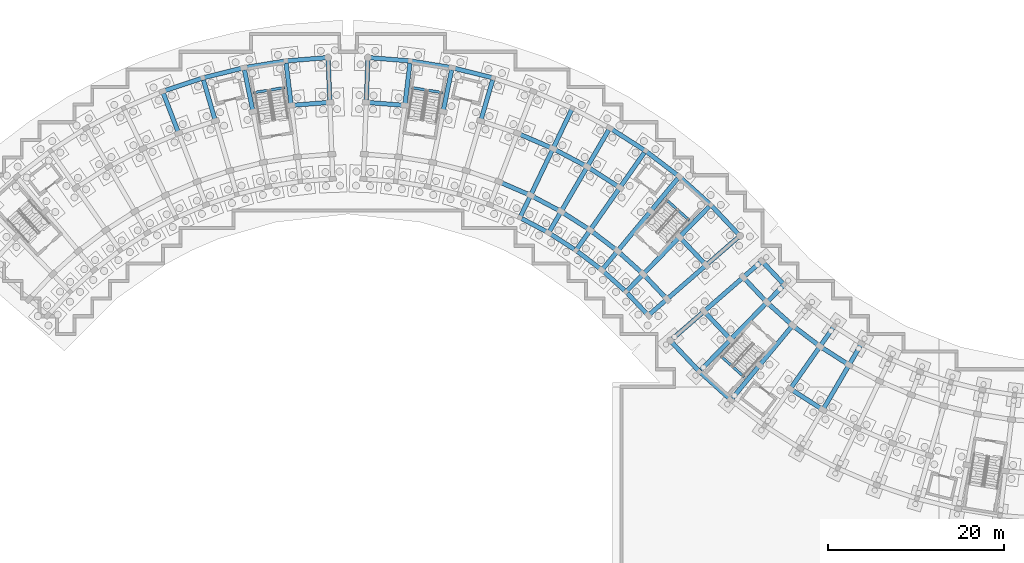
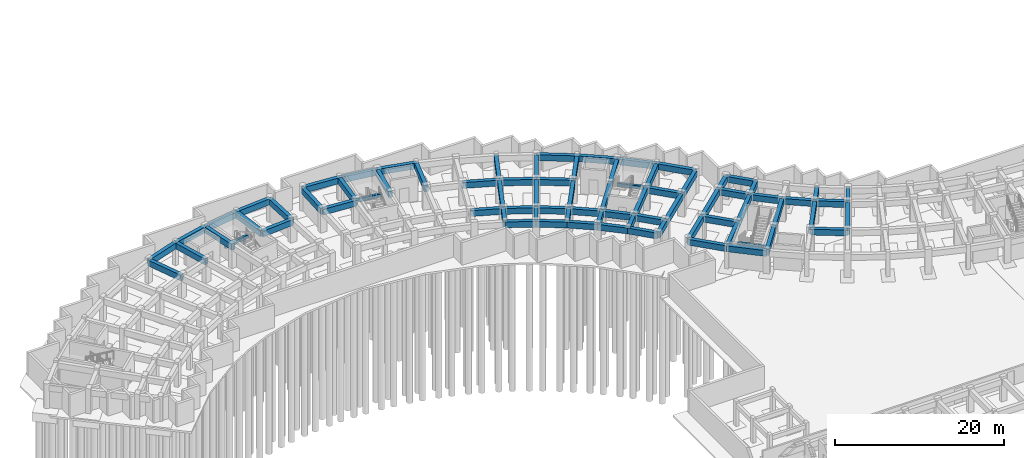
# One storey, part 13 of 32: 80 beams.
"""IFC4 building model written with IfcOpenShell, lengths in metres."""

from ifc_helpers import new_model, si_unit, direction, frame, origin, origin_2d, place, context, subcontext, project, spatial, rectangle, extrude, material, material_profile, profile_set, type_object, element, save


model = new_model("IFC4")

# Units and contexts
model_context = context("Model", 3, precision=1e-05, world=origin(), true_north=direction((0.0, 1.0)))
body_context = subcontext(model_context, "Body", "Model", "MODEL_VIEW")
ifc_project = project(units=[si_unit("LENGTHUNIT", "METRE"), si_unit("AREAUNIT", "SQUARE_METRE"), si_unit("VOLUMEUNIT", "CUBIC_METRE"), si_unit("PLANEANGLEUNIT", "RADIAN"), si_unit("MASSUNIT", "GRAM", prefix="KILO")], contexts=[model_context])

# Site, building, storey
site_placement = place(None, origin())
site = spatial("IfcSite", under=ifc_project, at=site_placement, CompositionType="ELEMENT")
building_placement = place(site_placement, origin())
building = spatial("IfcBuilding", under=site, at=building_placement, Name="Zimvara Arc Housing Community", CompositionType="ELEMENT")
storey_placement = place(building_placement, frame((0.0, 0.0, -3.60009765625)))
storey = spatial("IfcBuildingStorey", under=building, at=storey_placement, Name="B1", CompositionType="ELEMENT", Elevation=-3.60009765625)

# Beams
ifc_material_1 = material(Name="Concrete C40/50", Category="concrete")
ifc_material_profile_1 = material_profile(ifc_material_1, rectangle(XDim=0.300048828125, YDim=0.5, at=origin_2d()), Name="RC 300x500")
ifc_profile_set_1 = profile_set([ifc_material_profile_1], Name="Concrete C40/50")
beam_type_1 = type_object("IfcBeamType", Name="BM-RC-300x500", PredefinedType="BEAM", material=ifc_profile_set_1)
for number, where, z_axis, x_axis, name in (
    (1, (37.81103515625, 99.92919921875, 1.550048828125), (-0.987080057935, -0.160227835371, 0.0), (0.160227835371, -0.987080057935, 0.0), "bm:stair_trim:ST-A2:B1:mid"),
    (2, (55.712890625, 99.357177734375, 1.550048828125), (-0.987080057935, 0.160227835371, 0.0), (-0.160227835371, -0.987080057935, 0.0), "bm:stair_trim:ST-B1:B1:mid"),
    (3, (83.715576171875, 84.859375, 1.550048828125), (-0.743392745855, 0.668855160262, 0.0), (-0.668855160262, -0.743392745855, 0.0), "bm:stair_trim:ST-B2:B1:mid"),
    (4, (87.264404296875, 69.50048828125, 1.550048828125), (0.74342674804, -0.668817366924, 0.0), (0.668817366924, 0.74342674804, 0.0), "bm:stair_trim:ST-C1:B1:mid"),
):
    element("IfcBeam", number, at=place(storey_placement, frame(where, z_axis=z_axis, x_axis=x_axis)), inside=storey, type_object=beam_type_1, Name=name, PredefinedType="BEAM", context=body_context, shape_type="SweptSolid", body=[
        extrude(rectangle(XDim=0.300048828125, YDim=0.5, at=origin_2d()), origin(), (0.0, 0.0, 1.0), 3.570068359375),
    ])
ifc_material_2 = material(Name="Concrete C40/50", Category="concrete")
ifc_material_profile_2 = material_profile(ifc_material_2, rectangle(XDim=0.5, YDim=0.85009765625, at=origin_2d()), Name="RC 500x850")
ifc_profile_set_2 = profile_set([ifc_material_profile_2], Name="Concrete C40/50")
beam_type_2 = type_object("IfcBeamType", Name="BM-RC-500x850", PredefinedType="BEAM", material=ifc_profile_set_2)
beam_1_placement = place(storey_placement, frame((38.55517578125, 97.91259765625, 2.875), z_axis=(0.996864209836, 0.079131202119, 0.0), x_axis=(-0.079131202119, 0.996864209836, 0.0)))
element("IfcBeam", 5, at=beam_1_placement, inside=storey, type_object=beam_type_2, Name="bm:blkA:B1:chord:r2:b9", PredefinedType="BEAM", context=body_context, shape_type="SweptSolid", body=[
    extrude(rectangle(XDim=0.5, YDim=0.85009765625, at=origin_2d()), origin(), (0.0, 0.0, 1.0), 4.393310546875),
])
beam_2_placement = place(storey_placement, frame((23.97607421875, 99.49853515625, 2.875), z_axis=(0.947877948153, 0.31863363822, 0.0), x_axis=(-0.31863363822, 0.947877948153, 0.0)))
element("IfcBeam", 6, at=beam_2_placement, inside=storey, type_object=beam_type_2, Name="bm:blkA:B1:chord:r3:b6", PredefinedType="BEAM", context=body_context, shape_type="SweptSolid", body=[
    extrude(rectangle(XDim=0.5, YDim=0.85009765625, at=origin_2d()), origin(), (0.0, 0.0, 1.0), 4.807861328125),
])
beam_3_placement = place(storey_placement, frame((28.533447265625, 101.030517578125, 2.875), z_axis=(0.970716235341, 0.240229037474, 0.0), x_axis=(-0.240229037474, 0.970716235341, 0.0)))
element("IfcBeam", 7, at=beam_3_placement, inside=storey, type_object=beam_type_2, Name="bm:blkA:B1:chord:r3:b7", PredefinedType="BEAM", context=body_context, shape_type="SweptSolid", body=[
    extrude(rectangle(XDim=0.5, YDim=0.85009765625, at=origin_2d()), origin(), (0.0, 0.0, 1.0), 4.80810546875),
])
beam_4_placement = place(storey_placement, frame((33.20068359375, 102.185546875, 2.875), z_axis=(0.987076839731, 0.160247659784, 0.0), x_axis=(-0.160247659784, 0.987076839731, 0.0)))
element("IfcBeam", 8, at=beam_4_placement, inside=storey, type_object=beam_type_2, Name="bm:blkA:B1:chord:r3:b8", PredefinedType="BEAM", context=body_context, shape_type="SweptSolid", body=[
    extrude(rectangle(XDim=0.5, YDim=0.85009765625, at=origin_2d()), origin(), (0.0, 0.0, 1.0), 4.808349609375),
])
beam_5_placement = place(storey_placement, frame((37.94677734375, 102.9560546875, 2.875), z_axis=(0.996861768207, 0.0791619548, 0.0), x_axis=(-0.0791619548, 0.996861768207, 0.0)))
element("IfcBeam", 9, at=beam_5_placement, inside=storey, type_object=beam_type_2, Name="bm:blkA:B1:chord:r3:b9", PredefinedType="BEAM", context=body_context, shape_type="SweptSolid", body=[
    extrude(rectangle(XDim=0.5, YDim=0.85009765625, at=origin_2d()), origin(), (0.0, 0.0, 1.0), 4.80810546875),
])
beam_6_placement = place(storey_placement, frame((25.7900390625, 94.75341796875, 2.875), z_axis=(-0.357078271386, 0.934074466038, 0.0), x_axis=(-0.934074466038, -0.357078271386, 0.0)))
element("IfcBeam", 10, at=beam_6_placement, inside=storey, type_object=beam_type_2, Name="bm:blkA:B1:rad:b6:r23", PredefinedType="BEAM", context=body_context, shape_type="SweptSolid", body=[
    extrude(rectangle(XDim=0.5, YDim=0.85009765625, at=origin_2d()), origin(), (0.0, 0.0, 1.0), 5.080078125),
])
for number, where, z_axis, x_axis, name in (
    (11, (29.9541015625, 96.1533203125, 2.875), (-0.279662254096, 0.960098444762, 0.0), (-0.960098444762, -0.279662254096, 0.0), "bm:blkA:B1:rad:b7:r23"),
    (12, (34.21875, 97.208740234375, 2.875), (-0.200411962389, 0.97971171542, 0.0), (-0.97971171542, -0.200411962389, 0.0), "bm:blkA:B1:rad:b8:r23"),
):
    element("IfcBeam", number, at=place(storey_placement, frame(where, z_axis=z_axis, x_axis=x_axis)), inside=storey, type_object=beam_type_2, Name=name, PredefinedType="BEAM", context=body_context, shape_type="SweptSolid", body=[
        extrude(rectangle(XDim=0.5, YDim=0.85009765625, at=origin_2d()), origin(), (0.0, 0.0, 1.0), 5.079833984375),
    ])
for number, where, z_axis, x_axis, name in (
    (13, (38.55517578125, 97.91259765625, 2.875), (-0.119762990499, 0.99280251113, 0.0), (-0.99280251113, -0.119762990499, 0.0), "bm:blkA:B1:rad:b9:r23"),
    (14, (42.934814453125, 98.26025390625, 2.875), (-0.038398054907, 0.999262522753, 0.0), (-0.999262522753, -0.038398054907, 0.0), "bm:blkA:B1:rad:b10:r23"),
):
    element("IfcBeam", number, at=place(storey_placement, frame(where, z_axis=z_axis, x_axis=x_axis)), inside=storey, type_object=beam_type_2, Name=name, PredefinedType="BEAM", context=body_context, shape_type="SweptSolid", body=[
        extrude(rectangle(XDim=0.5, YDim=0.85009765625, at=origin_2d()), origin(), (0.0, 0.0, 1.0), 5.080078125),
    ])
beam_7_placement = place(storey_placement, frame((64.49560546875, 85.190673828125, 2.875), z_axis=(0.883449220086, -0.468526920815, 0.0), x_axis=(0.468526920815, 0.883449220086, 0.0)))
element("IfcBeam", 15, at=beam_7_placement, inside=storey, type_object=beam_type_2, Name="bm:blkB:B1:chord:r0:b5", PredefinedType="BEAM", context=body_context, shape_type="SweptSolid", body=[
    extrude(rectangle(XDim=0.5, YDim=0.85009765625, at=origin_2d()), origin(), (0.0, 0.0, 1.0), 3.6845703125),
])
beam_8_placement = place(storey_placement, frame((67.750732421875, 83.46435546875, 2.875), z_axis=(0.842272604079, -0.539051816079, 0.0), x_axis=(0.539051816079, 0.842272604079, 0.0)))
element("IfcBeam", 16, at=beam_8_placement, inside=storey, type_object=beam_type_2, Name="bm:blkB:B1:chord:r0:b6", PredefinedType="BEAM", context=body_context, shape_type="SweptSolid", body=[
    extrude(rectangle(XDim=0.5, YDim=0.85009765625, at=origin_2d()), origin(), (0.0, 0.0, 1.0), 3.684326171875),
])
beam_9_placement = place(storey_placement, frame((70.85400390625, 81.478271484375, 2.875), z_axis=(0.795453014049, -0.606015265847, 0.0), x_axis=(0.606015265847, 0.795453014049, 0.0)))
element("IfcBeam", 17, at=beam_9_placement, inside=storey, type_object=beam_type_2, Name="bm:blkB:B1:chord:r0:b7", PredefinedType="BEAM", context=body_context, shape_type="SweptSolid", body=[
    extrude(rectangle(XDim=0.5, YDim=0.85009765625, at=origin_2d()), origin(), (0.0, 0.0, 1.0), 3.6845703125),
])
beam_10_placement = place(storey_placement, frame((73.784912109375, 79.245361328125, 2.875), z_axis=(0.743366631239, -0.668884183966, 0.0), x_axis=(0.668884183966, 0.743366631239, 0.0)))
element("IfcBeam", 18, at=beam_10_placement, inside=storey, type_object=beam_type_2, Name="bm:blkB:B1:chord:r0:b8", PredefinedType="BEAM", context=body_context, shape_type="SweptSolid", body=[
    extrude(rectangle(XDim=0.5, YDim=0.85009765625, at=origin_2d()), origin(), (0.0, 0.0, 1.0), 3.684326171875),
])
beam_11_placement = place(storey_placement, frame((76.523681640625, 76.781005859375, 2.875), z_axis=(0.686335517678, -0.727285059088, 0.0), x_axis=(0.727285059088, 0.686335517678, 0.0)))
element("IfcBeam", 19, at=beam_11_placement, inside=storey, type_object=beam_type_2, Name="bm:blkB:B1:chord:r0:b9", PredefinedType="BEAM", context=body_context, shape_type="SweptSolid", body=[
    extrude(rectangle(XDim=0.5, YDim=0.85009765625, at=origin_2d()), origin(), (0.0, 0.0, 1.0), 3.6845703125),
])
for number, where, z_axis, x_axis, name in (
    (20, (62.110595703125, 89.260986328125, 2.875), (0.91873144242, -0.394882940514, 0.0), (0.394882940514, 0.91873144242, 0.0), "bm:blkB:B1:chord:r1:b4"),
    (21, (65.70556640625, 87.7158203125, 2.875), (0.883438625159, -0.468546897948, 0.0), (0.468546897948, 0.883438625159, 0.0), "bm:blkB:B1:chord:r1:b5"),
):
    element("IfcBeam", number, at=place(storey_placement, frame(where, z_axis=z_axis, x_axis=x_axis)), inside=storey, type_object=beam_type_2, Name=name, PredefinedType="BEAM", context=body_context, shape_type="SweptSolid", body=[
        extrude(rectangle(XDim=0.5, YDim=0.85009765625, at=origin_2d()), origin(), (0.0, 0.0, 1.0), 3.9130859375),
    ])
beam_12_placement = place(storey_placement, frame((69.16259765625, 85.88232421875, 2.875), z_axis=(0.842253269878, -0.539082024724, 0.0), x_axis=(0.539082024724, 0.842253269878, 0.0)))
element("IfcBeam", 22, at=beam_12_placement, inside=storey, type_object=beam_type_2, Name="bm:blkB:B1:chord:r1:b6", PredefinedType="BEAM", context=body_context, shape_type="SweptSolid", body=[
    extrude(rectangle(XDim=0.5, YDim=0.85009765625, at=origin_2d()), origin(), (0.0, 0.0, 1.0), 3.912841796875),
])
for number, where, z_axis, x_axis, name in (
    (23, (72.458251953125, 83.77294921875, 2.875), (0.795470387579, -0.605992460749, 0.0), (0.605992460749, 0.795470387579, 0.0), "bm:blkB:B1:chord:r1:b7"),
    (24, (75.571044921875, 81.401611328125, 2.875), (0.743402719516, -0.668844074965, 0.0), (0.668844074965, 0.743402719516, 0.0), "bm:blkB:B1:chord:r1:b8"),
):
    element("IfcBeam", number, at=place(storey_placement, frame(where, z_axis=z_axis, x_axis=x_axis)), inside=storey, type_object=beam_type_2, Name=name, PredefinedType="BEAM", context=body_context, shape_type="SweptSolid", body=[
        extrude(rectangle(XDim=0.5, YDim=0.85009765625, at=origin_2d()), origin(), (0.0, 0.0, 1.0), 3.9130859375),
    ])
beam_13_placement = place(storey_placement, frame((78.47998046875, 78.784423828125, 2.875), z_axis=(0.686315710793, -0.727303750243, 0.0), x_axis=(0.727303750243, 0.686315710793, 0.0)))
element("IfcBeam", 25, at=beam_13_placement, inside=storey, type_object=beam_type_2, Name="bm:blkB:B1:chord:r1:b9", PredefinedType="BEAM", context=body_context, shape_type="SweptSolid", body=[
    extrude(rectangle(XDim=0.5, YDim=0.85009765625, at=origin_2d()), origin(), (0.0, 0.0, 1.0), 3.913330078125),
])
for number, where, z_axis, x_axis, name in (
    (26, (47.065185546875, 98.26025390625, 2.875), (0.996864209836, -0.079131202119, 0.0), (0.079131202119, 0.996864209836, 0.0), "bm:blkB:B1:chord:r2:b0"),
    (27, (64.2099609375, 94.75341796875, 2.875), (0.918724840088, -0.394898301093, 0.0), (0.394898301093, 0.918724840088, 0.0), "bm:blkB:B1:chord:r2:b4"),
    (28, (68.24609375, 93.0185546875, 2.875), (0.883456526058, -0.468513144496, 0.0), (0.468513144496, 0.883456526058, 0.0), "bm:blkB:B1:chord:r2:b5"),
    (29, (72.12744140625, 90.960205078125, 2.875), (0.842242131326, -0.539099427025, 0.0), (0.539099427025, 0.842242131326, 0.0), "bm:blkB:B1:chord:r2:b6"),
    (30, (82.588134765625, 82.9912109375, 2.875), (0.686303637813, -0.727315142648, 0.0), (0.727315142648, 0.686303637813, 0.0), "bm:blkB:B1:chord:r2:b9"),
):
    element("IfcBeam", number, at=place(storey_placement, frame(where, z_axis=z_axis, x_axis=x_axis)), inside=storey, type_object=beam_type_2, Name=name, PredefinedType="BEAM", context=body_context, shape_type="SweptSolid", body=[
        extrude(rectangle(XDim=0.5, YDim=0.85009765625, at=origin_2d()), origin(), (0.0, 0.0, 1.0), 4.393310546875),
    ])
beam_14_placement = place(storey_placement, frame((47.26025390625, 103.336669921875, 2.875), z_axis=(0.996861768207, -0.0791619548, 0.0), x_axis=(0.0791619548, 0.996861768207, 0.0)))
element("IfcBeam", 31, at=beam_14_placement, inside=storey, type_object=beam_type_2, Name="bm:blkB:B1:chord:r3:b0", PredefinedType="BEAM", context=body_context, shape_type="SweptSolid", body=[
    extrude(rectangle(XDim=0.5, YDim=0.85009765625, at=origin_2d()), origin(), (0.0, 0.0, 1.0), 4.80810546875),
])
beam_15_placement = place(storey_placement, frame((52.05322265625, 102.9560546875, 2.875), z_axis=(0.987076839731, -0.160247659784, 0.0), x_axis=(0.160247659784, 0.987076839731, 0.0)))
element("IfcBeam", 32, at=beam_15_placement, inside=storey, type_object=beam_type_2, Name="bm:blkB:B1:chord:r3:b1", PredefinedType="BEAM", context=body_context, shape_type="SweptSolid", body=[
    extrude(rectangle(XDim=0.5, YDim=0.85009765625, at=origin_2d()), origin(), (0.0, 0.0, 1.0), 4.808349609375),
])
beam_16_placement = place(storey_placement, frame((56.79931640625, 102.185546875, 2.875), z_axis=(0.970716235341, -0.240229037474, 0.0), x_axis=(0.240229037474, 0.970716235341, 0.0)))
element("IfcBeam", 33, at=beam_16_placement, inside=storey, type_object=beam_type_2, Name="bm:blkB:B1:chord:r3:b2", PredefinedType="BEAM", context=body_context, shape_type="SweptSolid", body=[
    extrude(rectangle(XDim=0.5, YDim=0.85009765625, at=origin_2d()), origin(), (0.0, 0.0, 1.0), 4.80810546875),
])
beam_17_placement = place(storey_placement, frame((74.688720703125, 95.34716796875, 2.875), z_axis=(0.842255724028, -0.539078190379, 0.0), x_axis=(0.539078190379, 0.842255724028, 0.0)))
element("IfcBeam", 34, at=beam_17_placement, inside=storey, type_object=beam_type_2, Name="bm:blkB:B1:chord:r3:b6", PredefinedType="BEAM", context=body_context, shape_type="SweptSolid", body=[
    extrude(rectangle(XDim=0.5, YDim=0.85009765625, at=origin_2d()), origin(), (0.0, 0.0, 1.0), 4.808349609375),
])
beam_18_placement = place(storey_placement, frame((78.738525390625, 92.755126953125, 2.875), z_axis=(0.795480673672, -0.605978958228, 0.0), x_axis=(0.605978958228, 0.795480673672, 0.0)))
element("IfcBeam", 35, at=beam_18_placement, inside=storey, type_object=beam_type_2, Name="bm:blkB:B1:chord:r3:b7", PredefinedType="BEAM", context=body_context, shape_type="SweptSolid", body=[
    extrude(rectangle(XDim=0.5, YDim=0.85009765625, at=origin_2d()), origin(), (0.0, 0.0, 1.0), 4.80810546875),
])
beam_19_placement = place(storey_placement, frame((82.563232421875, 89.841552734375, 2.875), z_axis=(0.743395133402, -0.668852506637, 0.0), x_axis=(0.668852506637, 0.743395133402, 0.0)))
element("IfcBeam", 36, at=beam_19_placement, inside=storey, type_object=beam_type_2, Name="bm:blkB:B1:chord:r3:b8", PredefinedType="BEAM", context=body_context, shape_type="SweptSolid", body=[
    extrude(rectangle(XDim=0.5, YDim=0.85009765625, at=origin_2d()), origin(), (0.0, 0.0, 1.0), 4.807861328125),
])
beam_20_placement = place(storey_placement, frame((86.137451171875, 86.625732421875, 2.875), z_axis=(0.6862954451, -0.727322873307, 0.0), x_axis=(0.727322873307, 0.6862954451, 0.0)))
element("IfcBeam", 37, at=beam_20_placement, inside=storey, type_object=beam_type_2, Name="bm:blkB:B1:chord:r3:b9", PredefinedType="BEAM", context=body_context, shape_type="SweptSolid", body=[
    extrude(rectangle(XDim=0.5, YDim=0.85009765625, at=origin_2d()), origin(), (0.0, 0.0, 1.0), 4.80810546875),
])
for number, where, z_axis, x_axis, name in (
    (38, (47.065185546875, 98.26025390625, 2.875), (0.038398054907, 0.999262522753, 0.0), (-0.999262522753, 0.038398054907, 0.0), "bm:blkB:B1:rad:b0:r23"),
    (39, (51.44482421875, 97.91259765625, 2.875), (0.119762990499, 0.99280251113, 0.0), (-0.99280251113, 0.119762990499, 0.0), "bm:blkB:B1:rad:b1:r23"),
):
    element("IfcBeam", number, at=place(storey_placement, frame(where, z_axis=z_axis, x_axis=x_axis)), inside=storey, type_object=beam_type_2, Name=name, PredefinedType="BEAM", context=body_context, shape_type="SweptSolid", body=[
        extrude(rectangle(XDim=0.5, YDim=0.85009765625, at=origin_2d()), origin(), (0.0, 0.0, 1.0), 5.080078125),
    ])
for number, where, z_axis, x_axis, name in (
    (40, (55.78125, 97.208740234375, 2.875), (0.200411962389, 0.97971171542, 0.0), (-0.97971171542, 0.200411962389, 0.0), "bm:blkB:B1:rad:b2:r23"),
    (41, (60.0458984375, 96.1533203125, 2.875), (0.279662254096, 0.960098444762, 0.0), (-0.960098444762, 0.279662254096, 0.0), "bm:blkB:B1:rad:b3:r23"),
):
    element("IfcBeam", number, at=place(storey_placement, frame(where, z_axis=z_axis, x_axis=x_axis)), inside=storey, type_object=beam_type_2, Name=name, PredefinedType="BEAM", context=body_context, shape_type="SweptSolid", body=[
        extrude(rectangle(XDim=0.5, YDim=0.85009765625, at=origin_2d()), origin(), (0.0, 0.0, 1.0), 5.079833984375),
    ])
beam_21_placement = place(storey_placement, frame((64.49560546875, 85.190673828125, 2.875), z_axis=(0.432118703138, 0.901816736593, 0.0), x_axis=(-0.901816736593, 0.432118703138, 0.0)))
element("IfcBeam", 42, at=beam_21_placement, inside=storey, type_object=beam_type_2, Name="bm:blkB:B1:rad:b5:r01", PredefinedType="BEAM", context=body_context, shape_type="SweptSolid", body=[
    extrude(rectangle(XDim=0.5, YDim=0.85009765625, at=origin_2d()), origin(), (0.0, 0.0, 1.0), 2.800048828125),
])
beam_22_placement = place(storey_placement, frame((65.70556640625, 87.7158203125, 2.875), z_axis=(0.432069527705, 0.901840298073, 0.0), x_axis=(-0.901840298073, 0.432069527705, 0.0)))
element("IfcBeam", 43, at=beam_22_placement, inside=storey, type_object=beam_type_2, Name="bm:blkB:B1:rad:b5:r12", PredefinedType="BEAM", context=body_context, shape_type="SweptSolid", body=[
    extrude(rectangle(XDim=0.5, YDim=0.85009765625, at=origin_2d()), origin(), (0.0, 0.0, 1.0), 5.8798828125),
])
beam_23_placement = place(storey_placement, frame((68.24609375, 93.0185546875, 2.875), z_axis=(0.432098194978, 0.901826563091, 0.0), x_axis=(-0.901826563091, 0.432098194978, 0.0)))
element("IfcBeam", 44, at=beam_23_placement, inside=storey, type_object=beam_type_2, Name="bm:blkB:B1:rad:b5:r23", PredefinedType="BEAM", context=body_context, shape_type="SweptSolid", body=[
    extrude(rectangle(XDim=0.5, YDim=0.85009765625, at=origin_2d()), origin(), (0.0, 0.0, 1.0), 5.080078125),
])
beam_24_placement = place(storey_placement, frame((67.750732421875, 83.46435546875, 2.875), z_axis=(0.504239631668, 0.86356377521, 0.0), x_axis=(-0.86356377521, 0.504239631668, 0.0)))
element("IfcBeam", 45, at=beam_24_placement, inside=storey, type_object=beam_type_2, Name="bm:blkB:B1:rad:b6:r01", PredefinedType="BEAM", context=body_context, shape_type="SweptSolid", body=[
    extrude(rectangle(XDim=0.5, YDim=0.85009765625, at=origin_2d()), origin(), (0.0, 0.0, 1.0), 2.800048828125),
])
beam_25_placement = place(storey_placement, frame((69.16259765625, 85.88232421875, 2.875), z_axis=(0.504219494781, 0.863575532934, 0.0), x_axis=(-0.863575532934, 0.504219494781, 0.0)))
element("IfcBeam", 46, at=beam_25_placement, inside=storey, type_object=beam_type_2, Name="bm:blkB:B1:rad:b6:r12", PredefinedType="BEAM", context=body_context, shape_type="SweptSolid", body=[
    extrude(rectangle(XDim=0.5, YDim=0.85009765625, at=origin_2d()), origin(), (0.0, 0.0, 1.0), 5.880126953125),
])
beam_26_placement = place(storey_placement, frame((72.12744140625, 90.960205078125, 2.875), z_axis=(0.504196701544, 0.863588840915, 0.0), x_axis=(-0.863588840915, 0.504196701544, 0.0)))
element("IfcBeam", 47, at=beam_26_placement, inside=storey, type_object=beam_type_2, Name="bm:blkB:B1:rad:b6:r23", PredefinedType="BEAM", context=body_context, shape_type="SweptSolid", body=[
    extrude(rectangle(XDim=0.5, YDim=0.85009765625, at=origin_2d()), origin(), (0.0, 0.0, 1.0), 5.079833984375),
])
beam_27_placement = place(storey_placement, frame((70.85400390625, 81.478271484375, 2.875), z_axis=(0.57297651105, 0.819571789281, 0.0), x_axis=(-0.819571789281, 0.57297651105, 0.0)))
element("IfcBeam", 48, at=beam_27_placement, inside=storey, type_object=beam_type_2, Name="bm:blkB:B1:rad:b7:r01", PredefinedType="BEAM", context=body_context, shape_type="SweptSolid", body=[
    extrude(rectangle(XDim=0.5, YDim=0.85009765625, at=origin_2d()), origin(), (0.0, 0.0, 1.0), 2.7998046875),
])
beam_28_placement = place(storey_placement, frame((72.458251953125, 83.77294921875, 2.875), z_axis=(0.573027549978, 0.819536104736, 0.0), x_axis=(-0.819536104736, 0.573027549978, 0.0)))
element("IfcBeam", 49, at=beam_28_placement, inside=storey, type_object=beam_type_2, Name="bm:blkB:B1:rad:b7:r12", PredefinedType="BEAM", context=body_context, shape_type="SweptSolid", body=[
    extrude(rectangle(XDim=0.5, YDim=0.85009765625, at=origin_2d()), origin(), (0.0, 0.0, 1.0), 5.8798828125),
])
beam_29_placement = place(storey_placement, frame((75.82763671875, 88.591796875, 2.875), z_axis=(0.573007469479, 0.819550144848, 0.0), x_axis=(-0.819550144848, 0.573007469479, 0.0)))
element("IfcBeam", 50, at=beam_29_placement, inside=storey, type_object=beam_type_2, Name="bm:blkB:B1:rad:b7:r23", PredefinedType="BEAM", context=body_context, shape_type="SweptSolid", body=[
    extrude(rectangle(XDim=0.5, YDim=0.85009765625, at=origin_2d()), origin(), (0.0, 0.0, 1.0), 5.080078125),
])
beam_30_placement = place(storey_placement, frame((73.784912109375, 79.245361328125, 2.875), z_axis=(0.637917412223, 0.770104781951, 0.0), x_axis=(-0.770104781951, 0.637917412223, 0.0)))
element("IfcBeam", 51, at=beam_30_placement, inside=storey, type_object=beam_type_2, Name="bm:blkB:B1:rad:b8:r01", PredefinedType="BEAM", context=body_context, shape_type="SweptSolid", body=[
    extrude(rectangle(XDim=0.5, YDim=0.85009765625, at=origin_2d()), origin(), (0.0, 0.0, 1.0), 2.800048828125),
])
beam_31_placement = place(storey_placement, frame((75.571044921875, 81.401611328125, 2.875), z_axis=(0.637955964415, 0.770072845559, 0.0), x_axis=(-0.770072845559, 0.637955964415, 0.0)))
element("IfcBeam", 52, at=beam_31_placement, inside=storey, type_object=beam_type_2, Name="bm:blkB:B1:rad:b8:r12", PredefinedType="BEAM", context=body_context, shape_type="SweptSolid", body=[
    extrude(rectangle(XDim=0.5, YDim=0.85009765625, at=origin_2d()), origin(), (0.0, 0.0, 1.0), 5.880126953125),
])
beam_32_placement = place(storey_placement, frame((79.322265625, 85.9296875, 2.875), z_axis=(0.637983669165, 0.77004989311, 0.0), x_axis=(-0.77004989311, 0.637983669165, 0.0)))
element("IfcBeam", 53, at=beam_32_placement, inside=storey, type_object=beam_type_2, Name="bm:blkB:B1:rad:b8:r23", PredefinedType="BEAM", context=body_context, shape_type="SweptSolid", body=[
    extrude(rectangle(XDim=0.5, YDim=0.85009765625, at=origin_2d()), origin(), (0.0, 0.0, 1.0), 5.080078125),
])
beam_33_placement = place(storey_placement, frame((76.523681640625, 76.781005859375, 2.875), z_axis=(0.698643013894, 0.71547043205, 0.0), x_axis=(-0.71547043205, 0.698643013894, 0.0)))
element("IfcBeam", 54, at=beam_33_placement, inside=storey, type_object=beam_type_2, Name="bm:blkB:B1:rad:b9:r01", PredefinedType="BEAM", context=body_context, shape_type="SweptSolid", body=[
    extrude(rectangle(XDim=0.5, YDim=0.85009765625, at=origin_2d()), origin(), (0.0, 0.0, 1.0), 2.800048828125),
])
beam_34_placement = place(storey_placement, frame((78.47998046875, 78.784423828125, 2.875), z_axis=(0.698669844288, 0.715444231707, 0.0), x_axis=(-0.715444231707, 0.698669844288, 0.0)))
element("IfcBeam", 55, at=beam_34_placement, inside=storey, type_object=beam_type_2, Name="bm:blkB:B1:rad:b9:r12", PredefinedType="BEAM", context=body_context, shape_type="SweptSolid", body=[
    extrude(rectangle(XDim=0.5, YDim=0.85009765625, at=origin_2d()), origin(), (0.0, 0.0, 1.0), 5.8798828125),
])
beam_35_placement = place(storey_placement, frame((82.588134765625, 82.9912109375, 2.875), z_axis=(0.698670885014, 0.71544321538, 0.0), x_axis=(-0.71544321538, 0.698670885014, 0.0)))
element("IfcBeam", 56, at=beam_35_placement, inside=storey, type_object=beam_type_2, Name="bm:blkB:B1:rad:b9:r23", PredefinedType="BEAM", context=body_context, shape_type="SweptSolid", body=[
    extrude(rectangle(XDim=0.5, YDim=0.85009765625, at=origin_2d()), origin(), (0.0, 0.0, 1.0), 5.080078125),
])
beam_36_placement = place(storey_placement, frame((79.052490234375, 74.101318359375, 2.875), z_axis=(0.754733151583, 0.656031912259, 0.0), x_axis=(-0.656031912259, 0.754733151583, 0.0)))
element("IfcBeam", 57, at=beam_36_placement, inside=storey, type_object=beam_type_2, Name="bm:blkB:B1:rad:b10:r01", PredefinedType="BEAM", context=body_context, shape_type="SweptSolid", body=[
    extrude(rectangle(XDim=0.5, YDim=0.85009765625, at=origin_2d()), origin(), (0.0, 0.0, 1.0), 2.800048828125),
])
beam_37_placement = place(storey_placement, frame((81.165771484375, 75.938232421875, 2.875), z_axis=(0.754692223258, 0.656078995362, 0.0), x_axis=(-0.656078995362, 0.754692223258, 0.0)))
element("IfcBeam", 58, at=beam_37_placement, inside=storey, type_object=beam_type_2, Name="bm:blkB:B1:rad:b10:r12", PredefinedType="BEAM", context=body_context, shape_type="SweptSolid", body=[
    extrude(rectangle(XDim=0.5, YDim=0.85009765625, at=origin_2d()), origin(), (0.0, 0.0, 1.0), 5.8798828125),
])
beam_38_placement = place(storey_placement, frame((85.603271484375, 79.7958984375, 2.875), z_axis=(0.754716217499, 0.656051393599, 0.0), x_axis=(-0.656051393599, 0.754716217499, 0.0)))
element("IfcBeam", 59, at=beam_38_placement, inside=storey, type_object=beam_type_2, Name="bm:blkB:B1:rad:b10:r23", PredefinedType="BEAM", context=body_context, shape_type="SweptSolid", body=[
    extrude(rectangle(XDim=0.5, YDim=0.85009765625, at=origin_2d()), origin(), (0.0, 0.0, 1.0), 5.080078125),
])
beam_39_placement = place(storey_placement, frame((91.927490234375, 80.258544921875, 2.875), z_axis=(0.686335517678, -0.727285059088, 0.0), x_axis=(0.727285059088, 0.686335517678, 0.0)))
element("IfcBeam", 60, at=beam_39_placement, inside=storey, type_object=beam_type_2, Name="bm:blkC:B1:chord:r0:b0", PredefinedType="BEAM", context=body_context, shape_type="SweptSolid", body=[
    extrude(rectangle(XDim=0.5, YDim=0.85009765625, at=origin_2d()), origin(), (0.0, 0.0, 1.0), 3.6845703125),
])
for number, where, z_axis, x_axis, name in (
    (61, (89.814208984375, 78.421630859375, 2.875), (0.686346852505, -0.727274362299, 0.0), (0.727274362299, 0.686346852505, 0.0), "bm:blkC:B1:chord:r1:b0"),
    (62, (92.5, 75.57568359375, 2.875), (0.743371697344, -0.668878553691, 0.0), (0.668878553691, 0.743371697344, 0.0), "bm:blkC:B1:chord:r1:b1"),
    (63, (95.408935546875, 72.958251953125, 2.875), (0.795500462697, -0.605952979899, 0.0), (0.605952979899, 0.795500462697, 0.0), "bm:blkC:B1:chord:r1:b2"),
    (64, (98.521728515625, 70.587158203125, 2.875), (0.842224940184, -0.53912628403, 0.0), (0.53912628403, 0.842224940184, 0.0), "bm:blkC:B1:chord:r1:b3"),
):
    element("IfcBeam", number, at=place(storey_placement, frame(where, z_axis=z_axis, x_axis=x_axis)), inside=storey, type_object=beam_type_2, Name=name, PredefinedType="BEAM", context=body_context, shape_type="SweptSolid", body=[
        extrude(rectangle(XDim=0.5, YDim=0.85009765625, at=origin_2d()), origin(), (0.0, 0.0, 1.0), 3.9130859375),
    ])
for number, where, z_axis, x_axis, name in (
    (65, (85.376708984375, 74.56396484375, 2.875), (0.686331377274, -0.727288966347, 0.0), (0.727288966347, 0.686331377274, 0.0), "bm:blkC:B1:chord:r2:b0"),
    (66, (95.15234375, 65.76806640625, 2.875), (0.842267363538, -0.539060004376, 0.0), (0.539060004376, 0.842267363538, 0.0), "bm:blkC:B1:chord:r2:b3"),
):
    element("IfcBeam", number, at=place(storey_placement, frame(where, z_axis=z_axis, x_axis=x_axis)), inside=storey, type_object=beam_type_2, Name=name, PredefinedType="BEAM", context=body_context, shape_type="SweptSolid", body=[
        extrude(rectangle(XDim=0.5, YDim=0.85009765625, at=origin_2d()), origin(), (0.0, 0.0, 1.0), 4.39306640625),
    ])
beam_40_placement = place(storey_placement, frame((81.542724609375, 71.231201171875, 2.875), z_axis=(0.686320791145, -0.727298956168, 0.0), x_axis=(0.727298956168, 0.686320791145, 0.0)))
element("IfcBeam", 67, at=beam_40_placement, inside=storey, type_object=beam_type_2, Name="bm:blkC:B1:chord:r3:b0", PredefinedType="BEAM", context=body_context, shape_type="SweptSolid", body=[
    extrude(rectangle(XDim=0.5, YDim=0.85009765625, at=origin_2d()), origin(), (0.0, 0.0, 1.0), 4.807861328125),
])
beam_41_placement = place(storey_placement, frame((84.842529296875, 67.734375, 2.875), z_axis=(0.743369885629, -0.668880567172, 0.0), x_axis=(0.668880567172, 0.743369885629, 0.0)))
element("IfcBeam", 68, at=beam_41_placement, inside=storey, type_object=beam_type_2, Name="bm:blkC:B1:chord:r3:b1", PredefinedType="BEAM", context=body_context, shape_type="SweptSolid", body=[
    extrude(rectangle(XDim=0.5, YDim=0.85009765625, at=origin_2d()), origin(), (0.0, 0.0, 1.0), 4.80810546875),
])
beam_42_placement = place(storey_placement, frame((91.927490234375, 80.258544921875, 2.875), z_axis=(-0.754733151583, -0.656031912259, 0.0), x_axis=(0.656031912259, -0.754733151583, 0.0)))
element("IfcBeam", 69, at=beam_42_placement, inside=storey, type_object=beam_type_2, Name="bm:blkC:B1:rad:b0:r01", PredefinedType="BEAM", context=body_context, shape_type="SweptSolid", body=[
    extrude(rectangle(XDim=0.5, YDim=0.85009765625, at=origin_2d()), origin(), (0.0, 0.0, 1.0), 2.800048828125),
])
beam_43_placement = place(storey_placement, frame((89.814208984375, 78.421630859375, 2.875), z_axis=(-0.754692223258, -0.656078995362, 0.0), x_axis=(0.656078995362, -0.754692223258, 0.0)))
element("IfcBeam", 70, at=beam_43_placement, inside=storey, type_object=beam_type_2, Name="bm:blkC:B1:rad:b0:r12", PredefinedType="BEAM", context=body_context, shape_type="SweptSolid", body=[
    extrude(rectangle(XDim=0.5, YDim=0.85009765625, at=origin_2d()), origin(), (0.0, 0.0, 1.0), 5.8798828125),
])
beam_44_placement = place(storey_placement, frame((85.376708984375, 74.56396484375, 2.875), z_axis=(-0.754716217499, -0.656051393599, 0.0), x_axis=(0.656051393599, -0.754716217499, 0.0)))
element("IfcBeam", 71, at=beam_44_placement, inside=storey, type_object=beam_type_2, Name="bm:blkC:B1:rad:b0:r23", PredefinedType="BEAM", context=body_context, shape_type="SweptSolid", body=[
    extrude(rectangle(XDim=0.5, YDim=0.85009765625, at=origin_2d()), origin(), (0.0, 0.0, 1.0), 5.080078125),
])
beam_45_placement = place(storey_placement, frame((94.456298828125, 77.578857421875, 2.875), z_axis=(-0.69868659732, -0.715427871085, 0.0), x_axis=(0.715427871085, -0.69868659732, 0.0)))
element("IfcBeam", 72, at=beam_45_placement, inside=storey, type_object=beam_type_2, Name="bm:blkC:B1:rad:b1:r01", PredefinedType="BEAM", context=body_context, shape_type="SweptSolid", body=[
    extrude(rectangle(XDim=0.5, YDim=0.85009765625, at=origin_2d()), origin(), (0.0, 0.0, 1.0), 2.800048828125),
])
beam_46_placement = place(storey_placement, frame((92.5, 75.57568359375, 2.875), z_axis=(-0.698669844288, -0.715444231707, 0.0), x_axis=(0.715444231707, -0.698669844288, 0.0)))
element("IfcBeam", 73, at=beam_46_placement, inside=storey, type_object=beam_type_2, Name="bm:blkC:B1:rad:b1:r12", PredefinedType="BEAM", context=body_context, shape_type="SweptSolid", body=[
    extrude(rectangle(XDim=0.5, YDim=0.85009765625, at=origin_2d()), origin(), (0.0, 0.0, 1.0), 5.8798828125),
])
beam_47_placement = place(storey_placement, frame((88.391845703125, 71.368896484375, 2.875), z_axis=(-0.698670885014, -0.71544321538, 0.0), x_axis=(0.71544321538, -0.698670885014, 0.0)))
element("IfcBeam", 74, at=beam_47_placement, inside=storey, type_object=beam_type_2, Name="bm:blkC:B1:rad:b1:r23", PredefinedType="BEAM", context=body_context, shape_type="SweptSolid", body=[
    extrude(rectangle(XDim=0.5, YDim=0.85009765625, at=origin_2d()), origin(), (0.0, 0.0, 1.0), 5.080078125),
])
beam_48_placement = place(storey_placement, frame((95.408935546875, 72.958251953125, 2.875), z_axis=(-0.637976362518, -0.770055946583, 0.0), x_axis=(0.770055946583, -0.637976362518, 0.0)))
element("IfcBeam", 75, at=beam_48_placement, inside=storey, type_object=beam_type_2, Name="bm:blkC:B1:rad:b2:r12", PredefinedType="BEAM", context=body_context, shape_type="SweptSolid", body=[
    extrude(rectangle(XDim=0.5, YDim=0.85009765625, at=origin_2d()), origin(), (0.0, 0.0, 1.0), 5.8798828125),
])
beam_49_placement = place(storey_placement, frame((91.65771484375, 68.430419921875, 2.875), z_axis=(-0.637960059333, -0.770069453164, 0.0), x_axis=(0.770069453164, -0.637960059333, 0.0)))
element("IfcBeam", 76, at=beam_49_placement, inside=storey, type_object=beam_type_2, Name="bm:blkC:B1:rad:b2:r23", PredefinedType="BEAM", context=body_context, shape_type="SweptSolid", body=[
    extrude(rectangle(XDim=0.5, YDim=0.85009765625, at=origin_2d()), origin(), (0.0, 0.0, 1.0), 5.080322265625),
])
beam_50_placement = place(storey_placement, frame((100.1259765625, 72.8818359375, 2.875), z_axis=(-0.57297651105, -0.819571789281, 0.0), x_axis=(0.819571789281, -0.57297651105, 0.0)))
element("IfcBeam", 77, at=beam_50_placement, inside=storey, type_object=beam_type_2, Name="bm:blkC:B1:rad:b3:r01", PredefinedType="BEAM", context=body_context, shape_type="SweptSolid", body=[
    extrude(rectangle(XDim=0.5, YDim=0.85009765625, at=origin_2d()), origin(), (0.0, 0.0, 1.0), 2.7998046875),
])
beam_51_placement = place(storey_placement, frame((98.521728515625, 70.587158203125, 2.875), z_axis=(-0.57300805165, -0.81954973781, 0.0), x_axis=(0.81954973781, -0.57300805165, 0.0)))
element("IfcBeam", 78, at=beam_51_placement, inside=storey, type_object=beam_type_2, Name="bm:blkC:B1:rad:b3:r12", PredefinedType="BEAM", context=body_context, shape_type="SweptSolid", body=[
    extrude(rectangle(XDim=0.5, YDim=0.85009765625, at=origin_2d()), origin(), (0.0, 0.0, 1.0), 5.880126953125),
])
beam_52_placement = place(storey_placement, frame((103.229248046875, 70.895751953125, 2.875), z_axis=(-0.504201666262, -0.8635859423, 0.0), x_axis=(0.8635859423, -0.504201666262, 0.0)))
element("IfcBeam", 79, at=beam_52_placement, inside=storey, type_object=beam_type_2, Name="bm:blkC:B1:rad:b4:r01", PredefinedType="BEAM", context=body_context, shape_type="SweptSolid", body=[
    extrude(rectangle(XDim=0.5, YDim=0.85009765625, at=origin_2d()), origin(), (0.0, 0.0, 1.0), 2.80029296875),
])
beam_53_placement = place(storey_placement, frame((101.8173828125, 68.4775390625, 2.875), z_axis=(-0.504237574462, -0.863564976421, 0.0), x_axis=(0.863564976421, -0.504237574462, 0.0)))
element("IfcBeam", 80, at=beam_53_placement, inside=storey, type_object=beam_type_2, Name="bm:blkC:B1:rad:b4:r12", PredefinedType="BEAM", context=body_context, shape_type="SweptSolid", body=[
    extrude(rectangle(XDim=0.5, YDim=0.85009765625, at=origin_2d()), origin(), (0.0, 0.0, 1.0), 5.8798828125),
])

save(model, "model.ifc")
